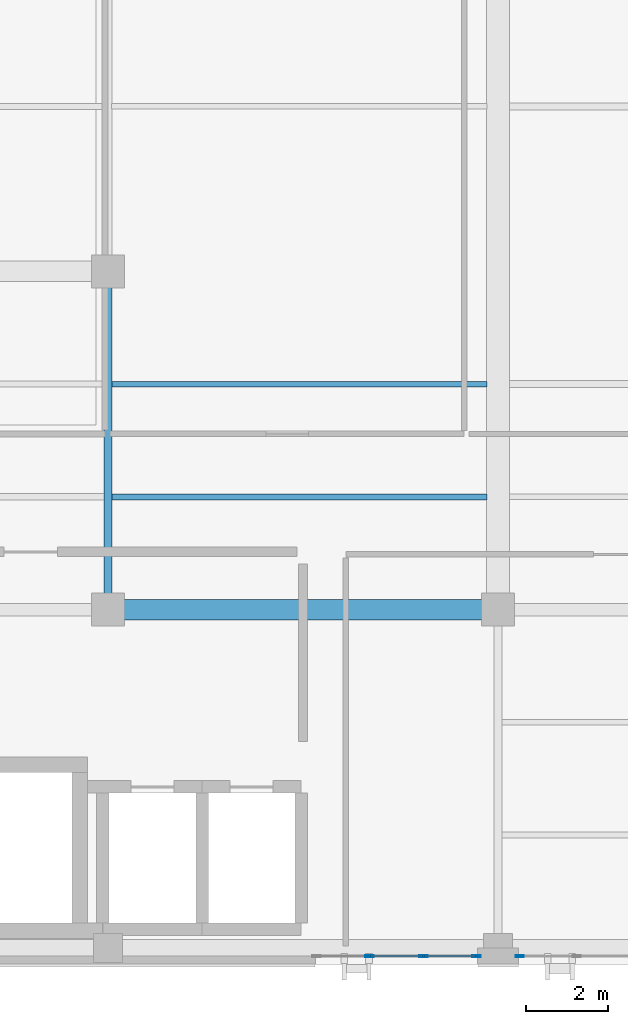
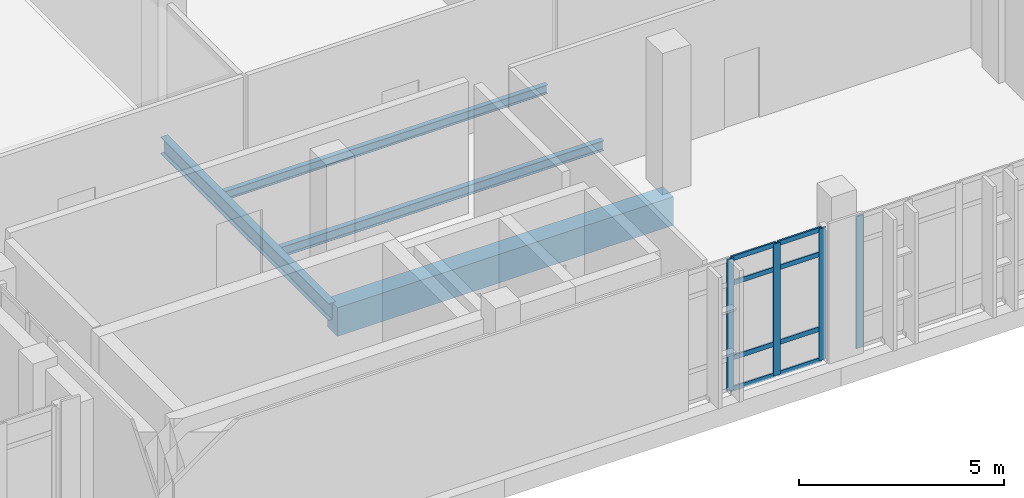
# One storey, part 19 of 158: 12 members, 4 beams, 2 elements without a shape of their own.
"""IFC4 building model written with IfcOpenShell, lengths in metres."""

from ifc_helpers import new_model, si_unit, direction, frame, origin, origin_2d, place, context, subcontext, project, spatial, rectangle, hollow_rectangle, i_section, extrude, material, layer, layer_set, material_profile, profile_set, type_object, element, aggregate, save


model = new_model("IFC4")

# Units and contexts
model_context = context("Model", 3, precision=1e-05, world=origin(), true_north=direction((0.0, 1.0)))
body_context = subcontext(model_context, "Body", "Model", "MODEL_VIEW")
ifc_project = project(units=[si_unit("LENGTHUNIT", "METRE"), si_unit("AREAUNIT", "SQUARE_METRE"), si_unit("VOLUMEUNIT", "CUBIC_METRE"), si_unit("PLANEANGLEUNIT", "RADIAN"), si_unit("MASSUNIT", "GRAM", prefix="KILO")], contexts=[model_context])

# Site, building, storey
site_placement = place(None, origin())
site = spatial("IfcSite", under=ifc_project, at=site_placement, CompositionType="ELEMENT")
building_placement = place(site_placement, origin())
building = spatial("IfcBuilding", under=site, at=building_placement, Name="Qalavern Law Courts", CompositionType="ELEMENT")
storey_placement = place(building_placement, frame((0.0, 0.0, 18.60009765625)))
storey = spatial("IfcBuildingStorey", under=building, at=storey_placement, Name="L04", CompositionType="ELEMENT", Elevation=18.60009765625)

# Curtain wall, members
ifc_material_1 = material(Name="Anodised aluminium and insulated glazing", Category="aluminium")
ifc_layer = layer(ifc_material_1, 0.18505859375)
ifc_layer_set = layer_set([ifc_layer], Name="Anodised aluminium and insulated glazing")
curtain_wall_type = type_object("IfcCurtainWallType", Name="ENV-CW-HALL", PredefinedType="USERDEFINED", material=ifc_layer_set)
curtain_wall_1_placement = place(storey_placement, origin())
curtain_wall_1 = element("IfcCurtainWall", 1, at=curtain_wall_1_placement, inside=storey, type_object=curtain_wall_type, Name="V2 unitised curtain wall L04 south 1", ObjectType="UNITISED CURTAIN WALL", PredefinedType="USERDEFINED")
ifc_material_2 = material(Name="Anodised aluminium", Category="aluminium")
ifc_material_profile_1 = material_profile(ifc_material_2, hollow_rectangle(XDim=0.048095703125, YDim=0.199951171875, WallThickness=0.00439453125, at=origin_2d()), Name="ALU MULLION 48x200")
ifc_profile_set_1 = profile_set([ifc_material_profile_1], Name="Anodised aluminium")
member_type_1 = type_object("IfcMemberType", Name="ENV-CWM-48x200", PredefinedType="MULLION", material=ifc_profile_set_1)
member_1_placement = place(storey_placement, frame((50.409423828125, 5.39990234375, 0.0), z_axis=(0.0, 0.0, 1.0), x_axis=(0.0, 1.0, 0.0)))
member_1 = element("IfcMember", 2, at=member_1_placement, type_object=member_type_1, Name="CW-02 mullion 2", PredefinedType="MULLION", context=body_context, shape_type="SweptSolid", body=[
    extrude(hollow_rectangle(XDim=0.048095703125, YDim=0.199951171875, WallThickness=0.00439453125, at=origin_2d()), origin(), (0.0, 0.0, 1.0), 3.9248046875),
])
member_2_placement = place(storey_placement, frame((51.718994140625, 5.39990234375, 0.0), z_axis=(0.0, 0.0, 1.0), x_axis=(0.0, 1.0, 0.0)))
member_2 = element("IfcMember", 3, at=member_2_placement, type_object=member_type_1, Name="CW-02 mullion 3", PredefinedType="MULLION", context=body_context, shape_type="SweptSolid", body=[
    extrude(hollow_rectangle(XDim=0.048095703125, YDim=0.199951171875, WallThickness=0.00439453125, at=origin_2d()), origin(), (0.0, 0.0, 1.0), 3.9248046875),
])
member_3_placement = place(storey_placement, frame((53.004638671875, 5.39990234375, 0.0), z_axis=(0.0, 0.0, 1.0), x_axis=(0.0, 1.0, 0.0)))
member_3 = element("IfcMember", 4, at=member_3_placement, type_object=member_type_1, Name="CW-02 mullion 4", PredefinedType="MULLION", context=body_context, shape_type="SweptSolid", body=[
    extrude(hollow_rectangle(XDim=0.048095703125, YDim=0.199951171875, WallThickness=0.00439453125, at=origin_2d()), origin(), (0.0, 0.0, 1.0), 3.9248046875),
])

# Curtain wall, member
curtain_wall_2_placement = place(storey_placement, origin())
curtain_wall_2 = element("IfcCurtainWall", 5, at=curtain_wall_2_placement, inside=storey, type_object=curtain_wall_type, Name="V2 unitised curtain wall L04 south 2", ObjectType="UNITISED CURTAIN WALL", PredefinedType="USERDEFINED")
member_4_placement = place(storey_placement, frame((54.052490234375, 5.39990234375, 0.0), z_axis=(0.0, 0.0, 1.0), x_axis=(0.0, 1.0, 0.0)))
member_4 = element("IfcMember", 6, at=member_4_placement, type_object=member_type_1, Name="CW-02 mullion 1", PredefinedType="MULLION", context=body_context, shape_type="SweptSolid", body=[
    extrude(hollow_rectangle(XDim=0.048095703125, YDim=0.199951171875, WallThickness=0.00439453125, at=origin_2d()), origin(), (0.0, 0.0, 1.0), 3.9248046875),
])
aggregate(curtain_wall_2, [member_4])

# Member
ifc_material_profile_2 = material_profile(ifc_material_2, hollow_rectangle(XDim=0.048095703125, YDim=0.139892578125, WallThickness=0.00390625, at=origin_2d()), Name="ALU TRANSOM 48x140")
ifc_profile_set_2 = profile_set([ifc_material_profile_2], Name="Anodised aluminium")
member_type_2 = type_object("IfcMemberType", Name="ENV-CWT-48x140", PredefinedType="USERDEFINED", material=ifc_profile_set_2)
member_5_placement = place(storey_placement, frame((50.43359375, 5.39990234375, 0.02392578125), z_axis=(1.0, 0.0, 0.0), x_axis=(0.0, 1.0, 0.0)))
member_5 = element("IfcMember", 7, at=member_5_placement, type_object=member_type_2, Name="CW-02 transom 2.1", ObjectType="TRANSOM", PredefinedType="USERDEFINED", context=body_context, shape_type="SweptSolid", body=[
    extrude(hollow_rectangle(XDim=0.048095703125, YDim=0.139892578125, WallThickness=0.00390625, at=origin_2d()), origin(), (0.0, 0.0, 1.0), 1.261474609375),
])

member_6_placement = place(storey_placement, frame((50.43359375, 5.39990234375, 0.949951171875), z_axis=(1.0, 0.0, 0.0), x_axis=(0.0, 1.0, 0.0)))
member_6 = element("IfcMember", 8, at=member_6_placement, type_object=member_type_2, Name="CW-02 transom 2.2", ObjectType="TRANSOM", PredefinedType="USERDEFINED", context=body_context, shape_type="SweptSolid", body=[
    extrude(hollow_rectangle(XDim=0.048095703125, YDim=0.139892578125, WallThickness=0.00390625, at=origin_2d()), origin(), (0.0, 0.0, 1.0), 1.261474609375),
])

member_7_placement = place(storey_placement, frame((50.43359375, 5.39990234375, 3.1748046875), z_axis=(1.0, 0.0, 0.0), x_axis=(0.0, 1.0, 0.0)))
member_7 = element("IfcMember", 9, at=member_7_placement, type_object=member_type_2, Name="CW-02 transom 2.3", ObjectType="TRANSOM", PredefinedType="USERDEFINED", context=body_context, shape_type="SweptSolid", body=[
    extrude(hollow_rectangle(XDim=0.048095703125, YDim=0.139892578125, WallThickness=0.00390625, at=origin_2d()), origin(), (0.0, 0.0, 1.0), 1.261474609375),
])

member_8_placement = place(storey_placement, frame((50.43359375, 5.39990234375, 3.90087890625), z_axis=(1.0, 0.0, 0.0), x_axis=(0.0, 1.0, 0.0)))
member_8 = element("IfcMember", 10, at=member_8_placement, type_object=member_type_2, Name="CW-02 transom 2.4", ObjectType="TRANSOM", PredefinedType="USERDEFINED", context=body_context, shape_type="SweptSolid", body=[
    extrude(hollow_rectangle(XDim=0.048095703125, YDim=0.139892578125, WallThickness=0.00390625, at=origin_2d()), origin(), (0.0, 0.0, 1.0), 1.261474609375),
])

member_9_placement = place(storey_placement, frame((51.7431640625, 5.39990234375, 0.02392578125), z_axis=(1.0, 0.0, 0.0), x_axis=(0.0, 1.0, 0.0)))
member_9 = element("IfcMember", 11, at=member_9_placement, type_object=member_type_2, Name="CW-02 transom 3.1", ObjectType="TRANSOM", PredefinedType="USERDEFINED", context=body_context, shape_type="SweptSolid", body=[
    extrude(hollow_rectangle(XDim=0.048095703125, YDim=0.139892578125, WallThickness=0.00390625, at=origin_2d()), origin(), (0.0, 0.0, 1.0), 1.237548828125),
])

member_10_placement = place(storey_placement, frame((51.7431640625, 5.39990234375, 0.949951171875), z_axis=(1.0, 0.0, 0.0), x_axis=(0.0, 1.0, 0.0)))
member_10 = element("IfcMember", 12, at=member_10_placement, type_object=member_type_2, Name="CW-02 transom 3.2", ObjectType="TRANSOM", PredefinedType="USERDEFINED", context=body_context, shape_type="SweptSolid", body=[
    extrude(hollow_rectangle(XDim=0.048095703125, YDim=0.139892578125, WallThickness=0.00390625, at=origin_2d()), origin(), (0.0, 0.0, 1.0), 1.237548828125),
])

member_11_placement = place(storey_placement, frame((51.7431640625, 5.39990234375, 3.1748046875), z_axis=(1.0, 0.0, 0.0), x_axis=(0.0, 1.0, 0.0)))
member_11 = element("IfcMember", 13, at=member_11_placement, type_object=member_type_2, Name="CW-02 transom 3.3", ObjectType="TRANSOM", PredefinedType="USERDEFINED", context=body_context, shape_type="SweptSolid", body=[
    extrude(hollow_rectangle(XDim=0.048095703125, YDim=0.139892578125, WallThickness=0.00390625, at=origin_2d()), origin(), (0.0, 0.0, 1.0), 1.237548828125),
])

member_12_placement = place(storey_placement, frame((51.7431640625, 5.39990234375, 3.90087890625), z_axis=(1.0, 0.0, 0.0), x_axis=(0.0, 1.0, 0.0)))
member_12 = element("IfcMember", 14, at=member_12_placement, type_object=member_type_2, Name="CW-02 transom 3.4", ObjectType="TRANSOM", PredefinedType="USERDEFINED", context=body_context, shape_type="SweptSolid", body=[
    extrude(hollow_rectangle(XDim=0.048095703125, YDim=0.139892578125, WallThickness=0.00390625, at=origin_2d()), origin(), (0.0, 0.0, 1.0), 1.237548828125),
])

aggregate(curtain_wall_1, [member_1, member_2, member_3, member_5, member_6, member_7, member_8, member_9, member_10, member_11, member_12])

# Beams
ifc_material_3 = material(Name="Steel S355", Category="steel")
ifc_material_profile_3 = material_profile(ifc_material_3, i_section(OverallWidth=0.199951171875, OverallDepth=0.5, WebThickness=0.01025390625, FlangeThickness=0.01611328125, FilletRadius=0.02099609375, at=origin_2d()), Name="IPE 500")
ifc_profile_set_3 = profile_set([ifc_material_profile_3], Name="Steel S355")
beam_type_1 = type_object("IfcBeamType", Name="STR-BM-IPE500", PredefinedType="BEAM", material=ifc_profile_set_3)
beam_1_placement = place(storey_placement, frame((44.07421875, 13.800048828125, -0.530029296875), z_axis=(0.0, 1.0, 0.0), x_axis=(-1.0, 0.0, 0.0)))
element("IfcBeam", 15, at=beam_1_placement, inside=storey, type_object=beam_type_1, Name="V2 Y-beam 2-2 L04", PredefinedType="BEAM", context=body_context, shape_type="SweptSolid", body=[
    extrude(i_section(OverallWidth=0.199951171875, OverallDepth=0.5, WebThickness=0.01025390625, FlangeThickness=0.01611328125, FilletRadius=0.02099609375, at=origin_2d()), origin(), (0.0, 0.0, 1.0), 8.199951171875),
])
ifc_material_4 = material(Name="Concrete C40/50", Category="concrete")
ifc_material_profile_4 = material_profile(ifc_material_4, rectangle(XDim=0.5, YDim=0.85009765625, at=origin_2d()), Name="RC 500x850")
ifc_profile_set_4 = profile_set([ifc_material_profile_4], Name="Concrete C40/50")
beam_type_2 = type_object("IfcBeamType", Name="STR-BM-RC500x850", PredefinedType="BEAM", material=ifc_profile_set_4)
beam_2_placement = place(storey_placement, frame((44.07421875, 13.800048828125, -0.705078125), z_axis=(1.0, 0.0, 0.0), x_axis=(0.0, 1.0, 0.0)))
element("IfcBeam", 16, at=beam_2_placement, inside=storey, type_object=beam_type_2, Name="V2 X-beam 2-2 L04", PredefinedType="BEAM", context=body_context, shape_type="SweptSolid", body=[
    extrude(rectangle(XDim=0.5, YDim=0.85009765625, at=origin_2d()), origin(), (0.0, 0.0, 1.0), 9.454345703125),
])
ifc_material_profile_5 = material_profile(ifc_material_3, i_section(OverallWidth=0.135009765625, OverallDepth=0.27001953125, WebThickness=0.006591796875, FlangeThickness=0.01025390625, FilletRadius=0.014892578125, at=origin_2d()), Name="IPE 270")
ifc_profile_set_5 = profile_set([ifc_material_profile_5], Name="Steel S355")
beam_type_3 = type_object("IfcBeamType", Name="STR-JST-IPE270", PredefinedType="JOIST", material=ifc_profile_set_5)
beam_3_placement = place(storey_placement, frame((44.17236328125, 19.2666015625, -0.4150390625), z_axis=(1.0, 0.0, 0.0), x_axis=(0.0, 1.0, 0.0)))
element("IfcBeam", 17, at=beam_3_placement, inside=storey, type_object=beam_type_3, Name="V2 secondary joist 2.2.2 L04", PredefinedType="JOIST", context=body_context, shape_type="SweptSolid", body=[
    extrude(i_section(OverallWidth=0.135009765625, OverallDepth=0.27001953125, WebThickness=0.006591796875, FlangeThickness=0.01025390625, FilletRadius=0.014892578125, at=origin_2d()), origin(), (0.0, 0.0, 1.0), 9.083251953125),
])
ifc_material_profile_6 = material_profile(ifc_material_3, i_section(OverallWidth=0.14990234375, OverallDepth=0.300048828125, WebThickness=0.007080078125, FlangeThickness=0.0107421875, FilletRadius=0.014892578125, at=origin_2d()), Name="IPE 300")
ifc_profile_set_6 = profile_set([ifc_material_profile_6], Name="Steel S355")
beam_type_4 = type_object("IfcBeamType", Name="STR-JST-IPE300", PredefinedType="JOIST", material=ifc_profile_set_6)
beam_4_placement = place(storey_placement, frame((44.17236328125, 16.533203125, -0.43017578125), z_axis=(1.0, 0.0, 0.0), x_axis=(0.0, 1.0, 0.0)))
element("IfcBeam", 18, at=beam_4_placement, inside=storey, type_object=beam_type_4, Name="V2 secondary joist 2.2.1 L04", PredefinedType="JOIST", context=body_context, shape_type="SweptSolid", body=[
    extrude(i_section(OverallWidth=0.14990234375, OverallDepth=0.300048828125, WebThickness=0.007080078125, FlangeThickness=0.0107421875, FilletRadius=0.014892578125, at=origin_2d()), origin(), (0.0, 0.0, 1.0), 9.083251953125),
])

save(model, "model.ifc")
